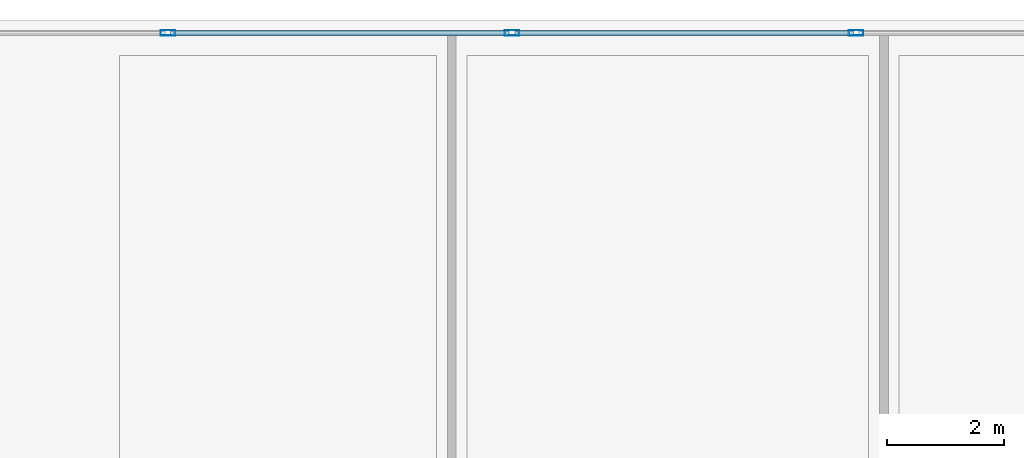
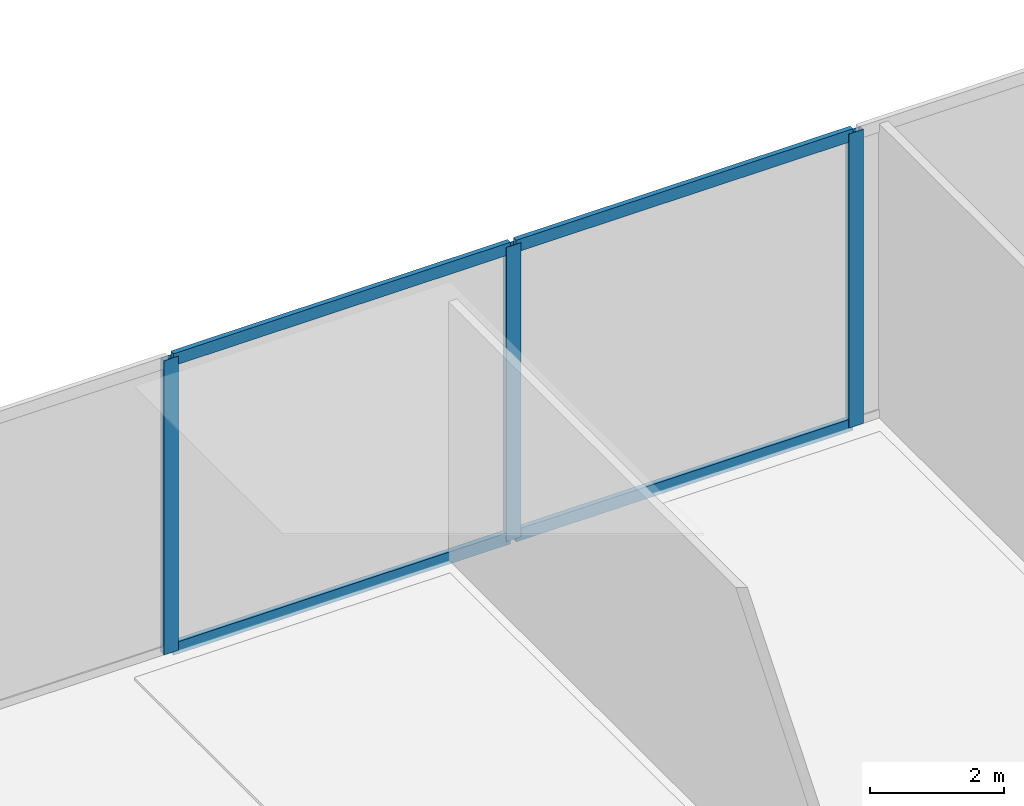
# One storey, part 17 of 27: 7 members, 1 element without a shape of its own.
"""IFC4 building model written with IfcOpenShell, lengths in metres."""

import ifcopenshell
import ifcopenshell.guid

model = None  # the IFC model being written
_history = None  # IfcOwnerHistory: only IFC2X3 demands one
_inside = {}  # id of a spatial element -> (the spatial element, [elements in it])
_under = {}  # id of a project, library or spatial element -> (it, [spatial elements below it])
_declared = {}  # id of a project -> (the project, [libraries it declares])
_typed = {}  # id of a type object -> (the type object, [elements of that type])
_made_of = {}  # id of a material, layer set ... -> (it, [elements and type objects made of it])


def new_model(schema):
    """Start an empty IFC model of exactly this schema.

    Asked for "IFC4X3", IfcOpenShell would pick the latest addendum, in which some entities
    have other attributes; the version numbers below select the first issue.
    IFC2X3 requires an IfcOwnerHistory on every rooted entity: one is made here for all.
    """
    global model, _history
    if schema == "IFC4X3":
        model = ifcopenshell.file(schema_version=(4, 3, 0, 0))
    else:
        model = ifcopenshell.file(schema=schema)
    _inside.clear()
    _under.clear()
    _declared.clear()
    _typed.clear()
    _made_of.clear()
    _history = None
    if model.schema == "IFC2X3":
        org = make("IfcOrganization", Name="unknown")
        user = make(
            "IfcPersonAndOrganization",
            ThePerson=make("IfcPerson", FamilyName="unknown"),
            TheOrganization=org,
        )
        app = make(
            "IfcApplication",
            ApplicationDeveloper=org,
            Version="unknown",
            ApplicationFullName="unknown",
            ApplicationIdentifier="unknown",
        )
        _history = make(
            "IfcOwnerHistory",
            OwningUser=user,
            OwningApplication=app,
            ChangeAction="ADDED",
            CreationDate=0,
        )
    return model


def make(cls, **values):
    """One entity of the class cls with the attributes given. An attribute that is None is left unset."""
    return model.create_entity(
        cls, **{name: value for name, value in values.items() if value is not None}
    )


def rooted(cls, **values):
    """An entity with a GlobalId (a new one), such as an element, a storey or a relation."""
    return make(cls, GlobalId=ifcopenshell.guid.new(), OwnerHistory=_history, **values)


def si_unit(unit_type, name, prefix=None):
    """IfcSIUnit, for example si_unit("LENGTHUNIT", "METRE", prefix="MILLI")."""
    return make("IfcSIUnit", UnitType=unit_type, Prefix=prefix, Name=name)


def assignment(units):
    """IfcUnitAssignment: the units of a project."""
    return None if units is None else make("IfcUnitAssignment", Units=units)


def point(xyz):
    """IfcCartesianPoint."""
    return None if xyz is None else make("IfcCartesianPoint", Coordinates=xyz)


def direction(xyz):
    """IfcDirection."""
    return None if xyz is None else make("IfcDirection", DirectionRatios=xyz)


def frame(location, z_axis=None, x_axis=None):
    """IfcAxis2Placement3D, a coordinate frame: its origin and axes. An axis left out is left unset."""
    return make(
        "IfcAxis2Placement3D",
        Location=point(location),
        Axis=direction(z_axis),
        RefDirection=direction(x_axis),
    )


def frame_2d(location, x_axis=None):
    """IfcAxis2Placement2D, a coordinate frame in the plane: its origin and x axis."""
    return make(
        "IfcAxis2Placement2D", Location=point(location), RefDirection=direction(x_axis)
    )


def origin():
    """The frame at (0, 0, 0) with its axes left unset."""
    return frame((0.0, 0.0, 0.0))


def origin_2d():
    """The frame at (0, 0) in the plane with its x axis left unset."""
    return frame_2d((0.0, 0.0))


def place(relative_to, where):
    """IfcLocalPlacement: puts the frame where relative to a parent placement (None: the world)."""
    return make(
        "IfcLocalPlacement", PlacementRelTo=relative_to, RelativePlacement=where
    )


def context(
    kind, dimensions, precision=None, world=None, true_north=None, identifier=None
):
    """IfcGeometricRepresentationContext, for example the 3D "Model" context."""
    return make(
        "IfcGeometricRepresentationContext",
        ContextIdentifier=identifier,
        ContextType=kind,
        CoordinateSpaceDimension=dimensions,
        Precision=precision,
        WorldCoordinateSystem=world,
        TrueNorth=true_north,
    )


def subcontext(parent, identifier, kind, view, scale=None):
    """IfcGeometricRepresentationSubContext, for example "Body" below "Model"."""
    return make(
        "IfcGeometricRepresentationSubContext",
        ContextIdentifier=identifier,
        ContextType=kind,
        ParentContext=parent,
        TargetScale=scale,
        TargetView=view,
    )


def project(units=None, contexts=None):
    """IfcProject with its units and contexts."""
    return rooted(
        "IfcProject",
        Name="project",
        RepresentationContexts=contexts,
        UnitsInContext=assignment(units),
    )


def spatial(cls, under=None, at=None, **own):
    """A site, building, storey or space (cls), placed at a placement, below another one or the project."""
    s = rooted(cls, ObjectPlacement=at, **own)
    if under is not None:
        _under.setdefault(under.id(), (under, []))[1].append(s)
    return s


def profile(cls, at=None, kind="AREA", **sizes):
    """A parametric profile (cls). Its sizes go by their IFC names, for example OverallWidth=200.0."""
    return make(cls, ProfileType=kind, Position=at, **sizes)


def hollow_rectangle(**sizes):
    """IfcRectangleHollowProfileDef."""
    return profile("IfcRectangleHollowProfileDef", **sizes)


def extrude(swept, where, along, depth):
    """IfcExtrudedAreaSolid: the profile swept, set in the frame where, extruded along a direction by depth."""
    return make(
        "IfcExtrudedAreaSolid",
        SweptArea=swept,
        Position=where,
        ExtrudedDirection=direction(along),
        Depth=depth,
    )


def shape(context_of_items, identifier, shape_type, items):
    """IfcShapeRepresentation: the items that make up one representation, for example the "Body"."""
    return make(
        "IfcShapeRepresentation",
        ContextOfItems=context_of_items,
        RepresentationIdentifier=identifier,
        RepresentationType=shape_type,
        Items=items,
    )


def material(Name=None, Category=None):
    """IfcMaterial."""
    return make("IfcMaterial", Name=Name, Category=Category)


def layer(
    of_material, thickness, ventilated=None, Name=None, Category=None, Priority=None
):
    """IfcMaterialLayer: one layer of a wall or slab, of a material (None: an air gap)."""
    return make(
        "IfcMaterialLayer",
        Material=of_material,
        LayerThickness=thickness,
        IsVentilated=ventilated,
        Name=Name,
        Category=Category,
        Priority=Priority,
    )


def layer_set(layers, Name=None):
    """IfcMaterialLayerSet."""
    return make("IfcMaterialLayerSet", MaterialLayers=layers, LayerSetName=Name)


def material_profile(
    of_material, cross_section, Name=None, Category=None, Priority=None
):
    """IfcMaterialProfile: a cross section and its material."""
    return make(
        "IfcMaterialProfile",
        Name=Name,
        Material=of_material,
        Profile=cross_section,
        Priority=Priority,
        Category=Category,
    )


def profile_set(profiles, Name=None, composite=None):
    """IfcMaterialProfileSet."""
    return make(
        "IfcMaterialProfileSet",
        Name=Name,
        MaterialProfiles=profiles,
        CompositeProfile=composite,
    )


def made_of(thing, what):
    """Note that an element or type object is made of a material, layer set ...; save() writes the relation."""
    if what is not None:
        _made_of.setdefault(what.id(), (what, []))[1].append(thing)
    return thing


def type_object(cls, material=None, **own):
    """A type object (cls), such as IfcWallType, which elements share."""
    return made_of(rooted(cls, **own), material)


def element(
    cls,
    number,
    at=None,
    inside=None,
    cuts=None,
    type_object=None,
    material=None,
    context=None,
    identifier="Body",
    shape_type=None,
    held_by="IfcProductDefinitionShape",
    body=None,
    shapes=None,
    **own,
):
    """One element of the class cls, such as IfcWall. Its Tag is "e" and its number.

    at: its placement. inside: the storey or other place that contains it. cuts: it is an
    opening in that element (IfcRelVoidsElement). A single representation is given by context,
    identifier, shape_type and body (its items); several are given by shapes. held_by: the class
    of the entity that holds the representations. save() writes the other relations.
    """
    e = rooted(cls, Tag="e%d" % number, ObjectPlacement=at, **own)
    if body is not None:
        shapes = [shape(context, identifier, shape_type, body)]
    if shapes is not None:
        e.Representation = make(held_by, Representations=shapes)
    if inside is not None:
        _inside.setdefault(inside.id(), (inside, []))[1].append(e)
    if cuts is not None:
        rooted(
            "IfcRelVoidsElement", RelatingBuildingElement=cuts, RelatedOpeningElement=e
        )
    if type_object is not None:
        _typed.setdefault(type_object.id(), (type_object, []))[1].append(e)
    return made_of(e, material)


def aggregate(whole, parts):
    """IfcRelAggregates: a whole, such as a stair, and the parts it consists of."""
    return rooted("IfcRelAggregates", RelatingObject=whole, RelatedObjects=parts)


def save(model, path):
    """Write the relations noted so far, then the file.

    IfcRelAggregates (storeys below a building ...), IfcRelContainedInSpatialStructure (elements
    in a storey), IfcRelDefinesByType, IfcRelAssociatesMaterial and IfcRelDeclares: one each for
    every whole, place, type object, material and project.
    """
    for whole, parts in _under.values():
        aggregate(whole, parts)
    for where, things in _inside.values():
        rooted(
            "IfcRelContainedInSpatialStructure",
            RelatedElements=things,
            RelatingStructure=where,
        )
    for kind, things in _typed.values():
        rooted("IfcRelDefinesByType", RelatedObjects=things, RelatingType=kind)
    for what, things in _made_of.values():
        rooted("IfcRelAssociatesMaterial", RelatedObjects=things, RelatingMaterial=what)
    for by, libraries in _declared.values():
        rooted("IfcRelDeclares", RelatingContext=by, RelatedDefinitions=libraries)
    model.write(path)


model = new_model("IFC4")

# Units and contexts
model_context = context("Model", 3, precision=1e-05, world=origin(), true_north=direction((0.0, 1.0)))
body_context = subcontext(model_context, "Body", "Model", "MODEL_VIEW")
ifc_project = project(units=[si_unit("LENGTHUNIT", "METRE"), si_unit("AREAUNIT", "SQUARE_METRE"), si_unit("VOLUMEUNIT", "CUBIC_METRE"), si_unit("PLANEANGLEUNIT", "RADIAN"), si_unit("MASSUNIT", "GRAM", prefix="KILO"), si_unit("THERMODYNAMICTEMPERATUREUNIT", "KELVIN"), si_unit("POWERUNIT", "WATT")], contexts=[model_context])

# Site, building, storey
site_placement = place(None, origin())
site = spatial("IfcSite", under=ifc_project, at=site_placement, CompositionType="ELEMENT")
building_placement = place(site_placement, origin())
building = spatial("IfcBuilding", under=site, at=building_placement, Name="Svarakhadi Broadcast Tower", CompositionType="ELEMENT")
storey_placement = place(building_placement, frame((0.0, 0.0, 21.89990234375)))
storey = spatial("IfcBuildingStorey", under=building, at=storey_placement, Name="L04", CompositionType="ELEMENT", Elevation=21.89990234375)

# Curtain wall, members
ifc_material = material(Name="Anodised Bronze Aluminium AA 6063-T6", Category="aluminium")
ifc_layer = layer(ifc_material, 0.25)
ifc_layer_set = layer_set([ifc_layer], Name="Anodised Bronze Aluminium AA 6063-T6")
curtain_wall_type = type_object("IfcCurtainWallType", Name="CW_Sys_01", PredefinedType="NOTDEFINED", material=ifc_layer_set)
curtain_wall_placement = place(storey_placement, origin())
curtain_wall = element("IfcCurtainWall", 1, at=curtain_wall_placement, inside=storey, type_object=curtain_wall_type, Name="L04 Unitised Facade Curtain Wall 05 Bay 2", PredefinedType="NOTDEFINED")
ifc_material_profile_1 = material_profile(ifc_material, hollow_rectangle(XDim=0.094970703125, YDim=0.25, WallThickness=0.006103515625, at=origin_2d()), Name="ALU MULLION 250x95x6")
ifc_profile_set_1 = profile_set([ifc_material_profile_1], Name="Anodised Bronze Aluminium AA 6063-T6")
member_type_1 = type_object("IfcMemberType", Name="CW_Sys_01_Mul", PredefinedType="MULLION", material=ifc_profile_set_1)
member_1_placement = place(storey_placement, frame((36.340087890625, 47.780029296875, 0.0), z_axis=(0.0, 0.0, 1.0), x_axis=(0.0, 1.0, 0.0)))
member_1 = element("IfcMember", 2, at=member_1_placement, type_object=member_type_1, Name="CW-01 mullion 5", PredefinedType="MULLION", context=body_context, shape_type="SweptSolid", body=[
    extrude(hollow_rectangle(XDim=0.094970703125, YDim=0.25, WallThickness=0.006103515625, at=origin_2d()), origin(), (0.0, 0.0, 1.0), 5.35009765625),
])
member_2_placement = place(storey_placement, frame((42.232421875, 47.780029296875, 0.0), z_axis=(0.0, 0.0, 1.0), x_axis=(0.0, 1.0, 0.0)))
member_2 = element("IfcMember", 3, at=member_2_placement, type_object=member_type_1, Name="CW-01 mullion 6", PredefinedType="MULLION", context=body_context, shape_type="SweptSolid", body=[
    extrude(hollow_rectangle(XDim=0.094970703125, YDim=0.25, WallThickness=0.006103515625, at=origin_2d()), origin(), (0.0, 0.0, 1.0), 5.35009765625),
])
member_3_placement = place(storey_placement, frame((48.125, 47.780029296875, 0.0), z_axis=(0.0, 0.0, 1.0), x_axis=(0.0, 1.0, 0.0)))
member_3 = element("IfcMember", 4, at=member_3_placement, type_object=member_type_1, Name="CW-01 mullion 7", PredefinedType="MULLION", context=body_context, shape_type="SweptSolid", body=[
    extrude(hollow_rectangle(XDim=0.094970703125, YDim=0.25, WallThickness=0.006103515625, at=origin_2d()), origin(), (0.0, 0.0, 1.0), 5.35009765625),
])
ifc_material_profile_2 = material_profile(ifc_material, hollow_rectangle(XDim=0.0849609375, YDim=0.219970703125, WallThickness=0.0048828125, at=origin_2d()), Name="ALU TRANSOM 220x85x5")
ifc_profile_set_2 = profile_set([ifc_material_profile_2], Name="Anodised Bronze Aluminium AA 6063-T6")
member_type_2 = type_object("IfcMemberType", Name="CW_Sys_01_Trn", PredefinedType="USERDEFINED", material=ifc_profile_set_2)
member_4_placement = place(storey_placement, frame((36.387451171875, 47.780029296875, 0.04248046875), z_axis=(1.0, 0.0, 0.0), x_axis=(0.0, 1.0, 0.0)))
member_4 = element("IfcMember", 5, at=member_4_placement, type_object=member_type_2, Name="CW-01 transom 5.1", ObjectType="TRANSOM", PredefinedType="USERDEFINED", context=body_context, shape_type="SweptSolid", body=[
    extrude(hollow_rectangle(XDim=0.0849609375, YDim=0.219970703125, WallThickness=0.0048828125, at=origin_2d()), origin(), (0.0, 0.0, 1.0), 5.797607421875),
])
member_5_placement = place(storey_placement, frame((36.387451171875, 47.780029296875, 5.3076171875), z_axis=(1.0, 0.0, 0.0), x_axis=(0.0, 1.0, 0.0)))
member_5 = element("IfcMember", 6, at=member_5_placement, type_object=member_type_2, Name="CW-01 transom 5.2", ObjectType="TRANSOM", PredefinedType="USERDEFINED", context=body_context, shape_type="SweptSolid", body=[
    extrude(hollow_rectangle(XDim=0.0849609375, YDim=0.219970703125, WallThickness=0.0048828125, at=origin_2d()), origin(), (0.0, 0.0, 1.0), 5.797607421875),
])
member_6_placement = place(storey_placement, frame((42.280029296875, 47.780029296875, 0.04248046875), z_axis=(1.0, 0.0, 0.0), x_axis=(0.0, 1.0, 0.0)))
member_6 = element("IfcMember", 7, at=member_6_placement, type_object=member_type_2, Name="CW-01 transom 6.1", ObjectType="TRANSOM", PredefinedType="USERDEFINED", context=body_context, shape_type="SweptSolid", body=[
    extrude(hollow_rectangle(XDim=0.0849609375, YDim=0.219970703125, WallThickness=0.0048828125, at=origin_2d()), origin(), (0.0, 0.0, 1.0), 5.79736328125),
])
member_7_placement = place(storey_placement, frame((42.280029296875, 47.780029296875, 5.3076171875), z_axis=(1.0, 0.0, 0.0), x_axis=(0.0, 1.0, 0.0)))
member_7 = element("IfcMember", 8, at=member_7_placement, type_object=member_type_2, Name="CW-01 transom 6.2", ObjectType="TRANSOM", PredefinedType="USERDEFINED", context=body_context, shape_type="SweptSolid", body=[
    extrude(hollow_rectangle(XDim=0.0849609375, YDim=0.219970703125, WallThickness=0.0048828125, at=origin_2d()), origin(), (0.0, 0.0, 1.0), 5.79736328125),
])
aggregate(curtain_wall, [member_1, member_2, member_3, member_4, member_5, member_6, member_7])

save(model, "model.ifc")
